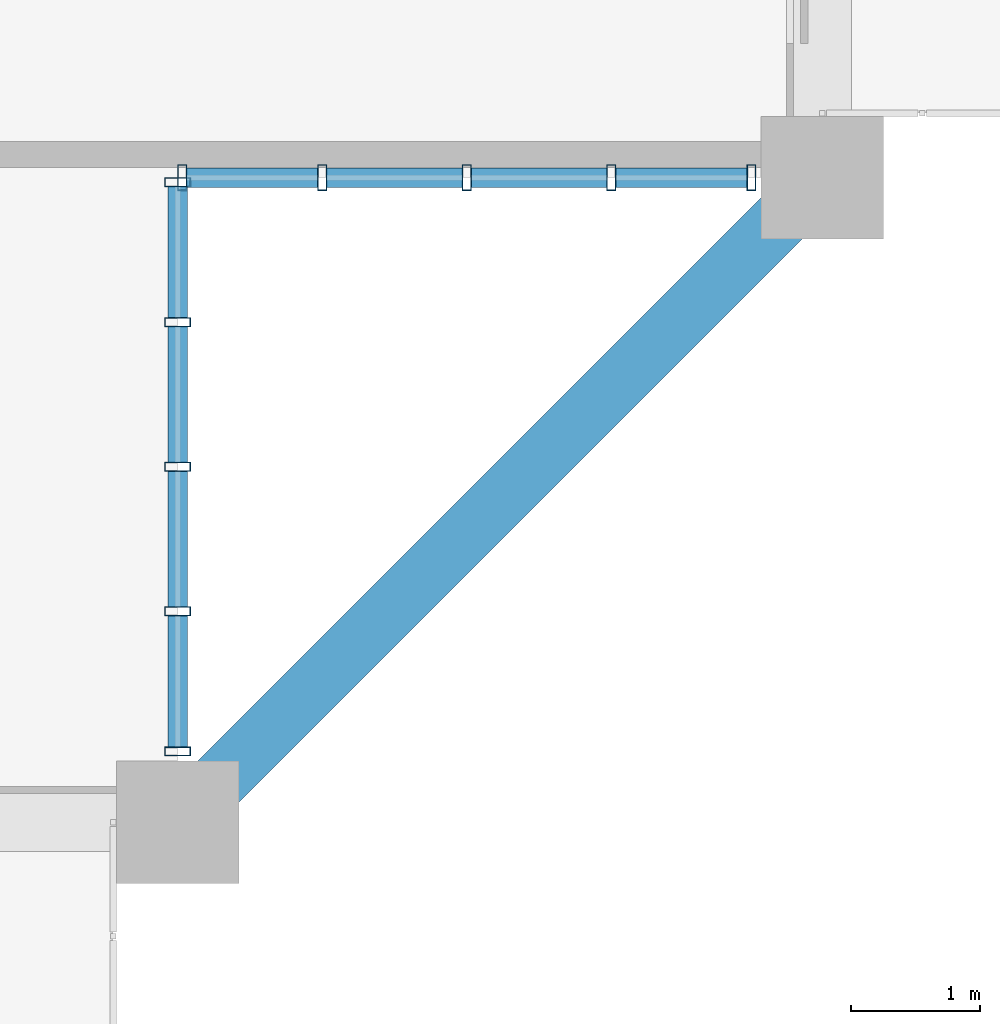
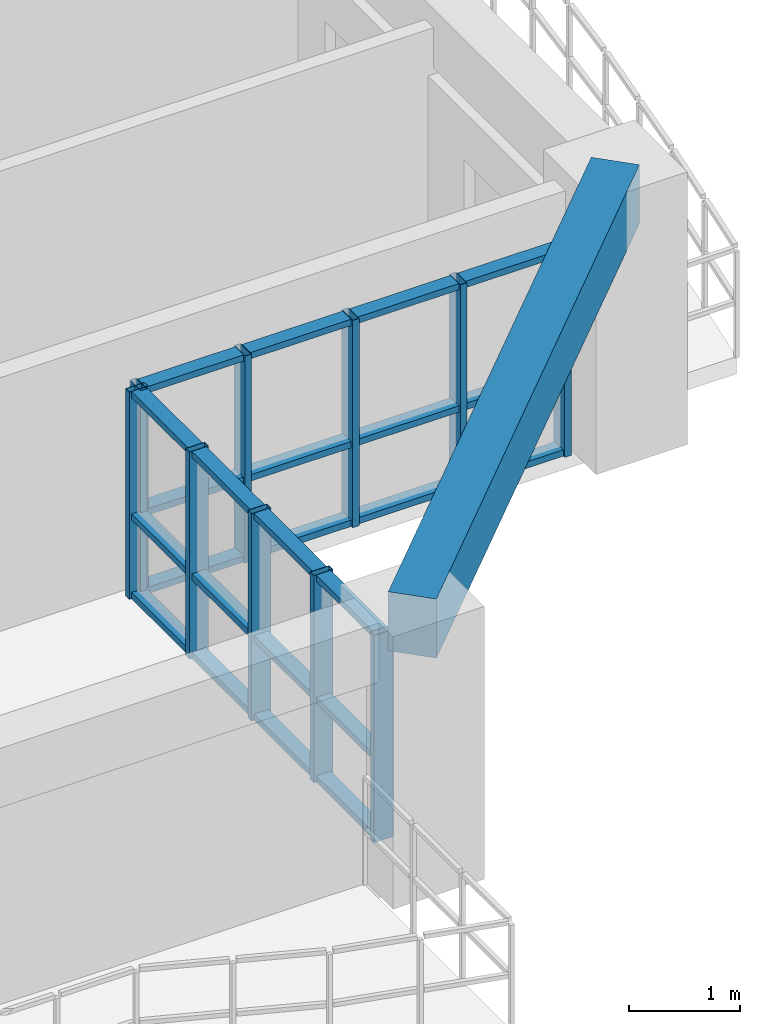
# One storey, part 4 of 24: 34 members, 1 beam, 2 elements without a shape of their own.
"""IFC4 building model written with IfcOpenShell, lengths in metres."""

from ifc_helpers import new_model, si_unit, direction, frame, origin, origin_2d, place, context, subcontext, project, spatial, rectangle, hollow_rectangle, extrude, source, transform, mapped, material, layer, layer_set, material_profile, profile_set, type_object, element, aggregate, save


model = new_model("IFC4")

# Units and contexts
model_context = context("Model", 3, precision=1e-05, world=origin(), true_north=direction((0.0, 1.0)))
body_context = subcontext(model_context, "Body", "Model", "MODEL_VIEW")
ifc_project = project(units=[si_unit("LENGTHUNIT", "METRE"), si_unit("AREAUNIT", "SQUARE_METRE"), si_unit("VOLUMEUNIT", "CUBIC_METRE"), si_unit("PLANEANGLEUNIT", "RADIAN"), si_unit("MASSUNIT", "GRAM", prefix="KILO")], contexts=[model_context])

# Site, building, storey
site_placement = place(None, origin())
site = spatial("IfcSite", under=ifc_project, at=site_placement, CompositionType="ELEMENT")
building_placement = place(site_placement, origin())
building = spatial("IfcBuilding", under=site, at=building_placement, Name="Saelheon Loggia Tower", CompositionType="ELEMENT")
storey_placement = place(building_placement, frame((0.0, 0.0, 166.0)))
storey = spatial("IfcBuildingStorey", under=building, at=storey_placement, Name="L52", CompositionType="ELEMENT", Elevation=166.0)

# Beam
ifc_material_1 = material(Name="Concrete C40/50", Category="concrete")
ifc_material_profile_1 = material_profile(ifc_material_1, rectangle(XDim=0.449951171875, YDim=0.64990234375, at=origin_2d()), Name="RC-450x650")
ifc_profile_set_1 = profile_set([ifc_material_profile_1], Name="Concrete C40/50")
beam_type = type_object("IfcBeamType", Name="Beam_PerimTower_RC450x650", PredefinedType="BEAM", material=ifc_profile_set_1)
shared_shape_1 = source(origin(), body_context, "Body", "SweptSolid", [
    extrude(rectangle(XDim=0.449951171875, YDim=0.64990234375, at=origin_2d()), origin(), (0.0, 0.0, 1.0), 7.071044921875),
])
beam_placement = place(storey_placement, frame((55.0, 6.0, 2.675048828125), z_axis=(0.707106781187, 0.707106781187, 0.0), x_axis=(-0.707106781187, 0.707106781187, 0.0)))
element("IfcBeam", 1, at=beam_placement, inside=storey, type_object=beam_type, Name="L52 Perimeter Frame Girder 04", PredefinedType="BEAM", context=body_context, shape_type="MappedRepresentation", body=[
    mapped(shared_shape_1, transform((0.0, 0.0, 0.0), scale=1.0)),
])

# Curtain wall, members
ifc_material_2 = material(Name="High-Wind Aluminium and Triple Laminated Glass", Category="aluminium")
ifc_layer = layer(ifc_material_2, 0.179931640625)
ifc_layer_set = layer_set([ifc_layer], Name="High-Wind Aluminium and Triple Laminated Glass")
curtain_wall_type = type_object("IfcCurtainWallType", Name="CW_TowerLoggiaHigh", PredefinedType="NOTDEFINED", material=ifc_layer_set)
curtain_wall_1_placement = place(storey_placement, origin())
curtain_wall_1 = element("IfcCurtainWall", 2, at=curtain_wall_1_placement, inside=storey, type_object=curtain_wall_type, Name="L52 Corner Notch Glazing SE1", PredefinedType="NOTDEFINED")
ifc_material_3 = material(Name="Anodised Aluminium 6063-T6", Category="aluminium")
ifc_material_profile_2 = material_profile(ifc_material_3, hollow_rectangle(XDim=0.070068359375, YDim=0.199951171875, WallThickness=0.0048828125, at=origin_2d()), Name="RHS-200x70x5")
ifc_profile_set_2 = profile_set([ifc_material_profile_2], Name="Anodised Aluminium 6063-T6")
member_type_1 = type_object("IfcMemberType", Name="CW_TowerLoggiaHigh_Mullion", PredefinedType="MULLION", material=ifc_profile_set_2)
shared_shape_2 = source(origin(), body_context, "Body", "SweptSolid", [
    extrude(hollow_rectangle(XDim=0.070068359375, YDim=0.199951171875, WallThickness=0.0048828125, at=origin_2d()), origin(), (0.0, 0.0, 1.0), 2.280029296875),
])
member_1_placement = place(storey_placement, frame((55.0, 6.550048828125, 0.0), z_axis=(0.0, 0.0, 1.0), x_axis=(0.0, 1.0, 0.0)))
member_1 = element("IfcMember", 3, at=member_1_placement, type_object=member_type_1, Name="CW4 mullion 1", PredefinedType="MULLION", context=body_context, shape_type="MappedRepresentation", body=[
    mapped(shared_shape_2, transform((0.0, 0.0, 0.0), scale=1.0)),
])
member_2_placement = place(storey_placement, frame((55.0, 7.63623046875, 0.0), z_axis=(0.0, 0.0, 1.0), x_axis=(0.0, 1.0, 0.0)))
member_2 = element("IfcMember", 4, at=member_2_placement, type_object=member_type_1, Name="CW4 mullion 2", PredefinedType="MULLION", context=body_context, shape_type="MappedRepresentation", body=[
    mapped(shared_shape_2, transform((0.0, 0.0, 0.0), scale=1.0)),
])
member_3_placement = place(storey_placement, frame((55.0, 8.757568359375, 0.0), z_axis=(0.0, 0.0, 1.0), x_axis=(0.0, 1.0, 0.0)))
member_3 = element("IfcMember", 5, at=member_3_placement, type_object=member_type_1, Name="CW4 mullion 3", PredefinedType="MULLION", context=body_context, shape_type="MappedRepresentation", body=[
    mapped(shared_shape_2, transform((0.0, 0.0, 0.0), scale=1.0)),
])
member_4_placement = place(storey_placement, frame((55.0, 9.878662109375, 0.0), z_axis=(0.0, 0.0, 1.0), x_axis=(0.0, 1.0, 0.0)))
member_4 = element("IfcMember", 6, at=member_4_placement, type_object=member_type_1, Name="CW4 mullion 4", PredefinedType="MULLION", context=body_context, shape_type="MappedRepresentation", body=[
    mapped(shared_shape_2, transform((0.0, 0.0, 0.0), scale=1.0)),
])
member_5_placement = place(storey_placement, frame((55.0, 10.965087890625, 0.0), z_axis=(0.0, 0.0, 1.0), x_axis=(0.0, 1.0, 0.0)))
member_5 = element("IfcMember", 7, at=member_5_placement, type_object=member_type_1, Name="CW4 mullion 5", PredefinedType="MULLION", context=body_context, shape_type="MappedRepresentation", body=[
    mapped(shared_shape_2, transform((0.0, 0.0, 0.0), scale=1.0)),
])

curtain_wall_2_placement = place(storey_placement, origin())
curtain_wall_2 = element("IfcCurtainWall", 8, at=curtain_wall_2_placement, inside=storey, type_object=curtain_wall_type, Name="L52 Corner Notch Glazing SE2", PredefinedType="NOTDEFINED")
member_6_placement = place(storey_placement, frame((55.034912109375, 11.0, 0.0), z_axis=(0.0, 0.0, 1.0), x_axis=(1.0, 0.0, 0.0)))
member_6 = element("IfcMember", 9, at=member_6_placement, type_object=member_type_1, Name="CW4 mullion 1", PredefinedType="MULLION", context=body_context, shape_type="MappedRepresentation", body=[
    mapped(shared_shape_2, transform((0.0, 0.0, 0.0), scale=1.0)),
])
member_7_placement = place(storey_placement, frame((56.121337890625, 11.0, 0.0), z_axis=(0.0, 0.0, 1.0), x_axis=(1.0, 0.0, 0.0)))
member_7 = element("IfcMember", 10, at=member_7_placement, type_object=member_type_1, Name="CW4 mullion 2", PredefinedType="MULLION", context=body_context, shape_type="MappedRepresentation", body=[
    mapped(shared_shape_2, transform((0.0, 0.0, 0.0), scale=1.0)),
])
member_8_placement = place(storey_placement, frame((57.242431640625, 11.0, 0.0), z_axis=(0.0, 0.0, 1.0), x_axis=(1.0, 0.0, 0.0)))
member_8 = element("IfcMember", 11, at=member_8_placement, type_object=member_type_1, Name="CW4 mullion 3", PredefinedType="MULLION", context=body_context, shape_type="MappedRepresentation", body=[
    mapped(shared_shape_2, transform((0.0, 0.0, 0.0), scale=1.0)),
])
member_9_placement = place(storey_placement, frame((58.36376953125, 11.0, 0.0), z_axis=(0.0, 0.0, 1.0), x_axis=(1.0, 0.0, 0.0)))
member_9 = element("IfcMember", 12, at=member_9_placement, type_object=member_type_1, Name="CW4 mullion 4", PredefinedType="MULLION", context=body_context, shape_type="MappedRepresentation", body=[
    mapped(shared_shape_2, transform((0.0, 0.0, 0.0), scale=1.0)),
])
member_10_placement = place(storey_placement, frame((59.449951171875, 11.0, 0.0), z_axis=(0.0, 0.0, 1.0), x_axis=(1.0, 0.0, 0.0)))
member_10 = element("IfcMember", 13, at=member_10_placement, type_object=member_type_1, Name="CW4 mullion 5", PredefinedType="MULLION", context=body_context, shape_type="MappedRepresentation", body=[
    mapped(shared_shape_2, transform((0.0, 0.0, 0.0), scale=1.0)),
])

# Member
ifc_material_profile_3 = material_profile(ifc_material_3, hollow_rectangle(XDim=0.070068359375, YDim=0.14990234375, WallThickness=0.0048828125, at=origin_2d()), Name="RHS-150x70x5")
ifc_profile_set_3 = profile_set([ifc_material_profile_3], Name="Anodised Aluminium 6063-T6")
member_type_2 = type_object("IfcMemberType", Name="CW_TowerLoggiaHigh_Transom", PredefinedType="USERDEFINED", material=ifc_profile_set_3)
shared_shape_3 = source(origin(), body_context, "Body", "SweptSolid", [
    extrude(hollow_rectangle(XDim=0.070068359375, YDim=0.14990234375, WallThickness=0.0048828125, at=origin_2d()), origin(), (0.0, 0.0, 1.0), 1.016357421875),
])
member_11_placement = place(storey_placement, frame((55.0, 6.5849609375, 0.034912109375), z_axis=(0.0, 1.0, 0.0), x_axis=(0.0, 0.0, 1.0)))
member_11 = element("IfcMember", 14, at=member_11_placement, type_object=member_type_2, Name="CW4 transom 1.1", ObjectType="TRANSOM", PredefinedType="USERDEFINED", context=body_context, shape_type="MappedRepresentation", body=[
    mapped(shared_shape_3, transform((0.0, 0.0, 0.0), scale=1.0)),
])

member_12_placement = place(storey_placement, frame((55.0, 6.5849609375, 0.89990234375), z_axis=(0.0, 1.0, 0.0), x_axis=(0.0, 0.0, 1.0)))
member_12 = element("IfcMember", 15, at=member_12_placement, type_object=member_type_2, Name="CW4 transom 1.2", ObjectType="TRANSOM", PredefinedType="USERDEFINED", context=body_context, shape_type="MappedRepresentation", body=[
    mapped(shared_shape_3, transform((0.0, 0.0, 0.0), scale=1.0)),
])

member_13_placement = place(storey_placement, frame((55.0, 6.5849609375, 2.2451171875), z_axis=(0.0, 1.0, 0.0), x_axis=(0.0, 0.0, 1.0)))
member_13 = element("IfcMember", 16, at=member_13_placement, type_object=member_type_2, Name="CW4 transom 1.3", ObjectType="TRANSOM", PredefinedType="USERDEFINED", context=body_context, shape_type="MappedRepresentation", body=[
    mapped(shared_shape_3, transform((0.0, 0.0, 0.0), scale=1.0)),
])

member_14_placement = place(storey_placement, frame((58.398681640625, 11.0, 0.034912109375), z_axis=(1.0, 0.0, 0.0), x_axis=(0.0, 0.0, 1.0)))
member_14 = element("IfcMember", 17, at=member_14_placement, type_object=member_type_2, Name="CW4 transom 4.1", ObjectType="TRANSOM", PredefinedType="USERDEFINED", context=body_context, shape_type="MappedRepresentation", body=[
    mapped(shared_shape_3, transform((0.0, 0.0, 0.0), scale=1.0)),
])

member_15_placement = place(storey_placement, frame((58.398681640625, 11.0, 0.89990234375), z_axis=(1.0, 0.0, 0.0), x_axis=(0.0, 0.0, 1.0)))
member_15 = element("IfcMember", 18, at=member_15_placement, type_object=member_type_2, Name="CW4 transom 4.2", ObjectType="TRANSOM", PredefinedType="USERDEFINED", context=body_context, shape_type="MappedRepresentation", body=[
    mapped(shared_shape_3, transform((0.0, 0.0, 0.0), scale=1.0)),
])

member_16_placement = place(storey_placement, frame((58.398681640625, 11.0, 2.2451171875), z_axis=(1.0, 0.0, 0.0), x_axis=(0.0, 0.0, 1.0)))
member_16 = element("IfcMember", 19, at=member_16_placement, type_object=member_type_2, Name="CW4 transom 4.3", ObjectType="TRANSOM", PredefinedType="USERDEFINED", context=body_context, shape_type="MappedRepresentation", body=[
    mapped(shared_shape_3, transform((0.0, 0.0, 0.0), scale=1.0)),
])

shared_shape_4 = source(origin(), body_context, "Body", "SweptSolid", [
    extrude(hollow_rectangle(XDim=0.070068359375, YDim=0.14990234375, WallThickness=0.0048828125, at=origin_2d()), origin(), (0.0, 0.0, 1.0), 1.05126953125),
])
member_17_placement = place(storey_placement, frame((55.0, 7.671142578125, 0.034912109375), z_axis=(0.0, 1.0, 0.0), x_axis=(0.0, 0.0, 1.0)))
member_17 = element("IfcMember", 20, at=member_17_placement, type_object=member_type_2, Name="CW4 transom 2.1", ObjectType="TRANSOM", PredefinedType="USERDEFINED", context=body_context, shape_type="MappedRepresentation", body=[
    mapped(shared_shape_4, transform((0.0, 0.0, 0.0), scale=1.0)),
])

member_18_placement = place(storey_placement, frame((55.0, 7.671142578125, 0.89990234375), z_axis=(0.0, 1.0, 0.0), x_axis=(0.0, 0.0, 1.0)))
member_18 = element("IfcMember", 21, at=member_18_placement, type_object=member_type_2, Name="CW4 transom 2.2", ObjectType="TRANSOM", PredefinedType="USERDEFINED", context=body_context, shape_type="MappedRepresentation", body=[
    mapped(shared_shape_4, transform((0.0, 0.0, 0.0), scale=1.0)),
])

member_19_placement = place(storey_placement, frame((55.0, 7.671142578125, 2.2451171875), z_axis=(0.0, 1.0, 0.0), x_axis=(0.0, 0.0, 1.0)))
member_19 = element("IfcMember", 22, at=member_19_placement, type_object=member_type_2, Name="CW4 transom 2.3", ObjectType="TRANSOM", PredefinedType="USERDEFINED", context=body_context, shape_type="MappedRepresentation", body=[
    mapped(shared_shape_4, transform((0.0, 0.0, 0.0), scale=1.0)),
])

member_20_placement = place(storey_placement, frame((55.0, 8.79248046875, 0.034912109375), z_axis=(0.0, 1.0, 0.0), x_axis=(0.0, 0.0, 1.0)))
member_20 = element("IfcMember", 23, at=member_20_placement, type_object=member_type_2, Name="CW4 transom 3.1", ObjectType="TRANSOM", PredefinedType="USERDEFINED", context=body_context, shape_type="MappedRepresentation", body=[
    mapped(shared_shape_4, transform((0.0, 0.0, 0.0), scale=1.0)),
])

member_21_placement = place(storey_placement, frame((55.0, 8.79248046875, 0.89990234375), z_axis=(0.0, 1.0, 0.0), x_axis=(0.0, 0.0, 1.0)))
member_21 = element("IfcMember", 24, at=member_21_placement, type_object=member_type_2, Name="CW4 transom 3.2", ObjectType="TRANSOM", PredefinedType="USERDEFINED", context=body_context, shape_type="MappedRepresentation", body=[
    mapped(shared_shape_4, transform((0.0, 0.0, 0.0), scale=1.0)),
])

member_22_placement = place(storey_placement, frame((55.0, 8.79248046875, 2.2451171875), z_axis=(0.0, 1.0, 0.0), x_axis=(0.0, 0.0, 1.0)))
member_22 = element("IfcMember", 25, at=member_22_placement, type_object=member_type_2, Name="CW4 transom 3.3", ObjectType="TRANSOM", PredefinedType="USERDEFINED", context=body_context, shape_type="MappedRepresentation", body=[
    mapped(shared_shape_4, transform((0.0, 0.0, 0.0), scale=1.0)),
])

member_23_placement = place(storey_placement, frame((56.15625, 11.0, 0.034912109375), z_axis=(1.0, 0.0, 0.0), x_axis=(0.0, 0.0, 1.0)))
member_23 = element("IfcMember", 26, at=member_23_placement, type_object=member_type_2, Name="CW4 transom 2.1", ObjectType="TRANSOM", PredefinedType="USERDEFINED", context=body_context, shape_type="MappedRepresentation", body=[
    mapped(shared_shape_4, transform((0.0, 0.0, 0.0), scale=1.0)),
])

member_24_placement = place(storey_placement, frame((56.15625, 11.0, 0.89990234375), z_axis=(1.0, 0.0, 0.0), x_axis=(0.0, 0.0, 1.0)))
member_24 = element("IfcMember", 27, at=member_24_placement, type_object=member_type_2, Name="CW4 transom 2.2", ObjectType="TRANSOM", PredefinedType="USERDEFINED", context=body_context, shape_type="MappedRepresentation", body=[
    mapped(shared_shape_4, transform((0.0, 0.0, 0.0), scale=1.0)),
])

member_25_placement = place(storey_placement, frame((56.15625, 11.0, 2.2451171875), z_axis=(1.0, 0.0, 0.0), x_axis=(0.0, 0.0, 1.0)))
member_25 = element("IfcMember", 28, at=member_25_placement, type_object=member_type_2, Name="CW4 transom 2.3", ObjectType="TRANSOM", PredefinedType="USERDEFINED", context=body_context, shape_type="MappedRepresentation", body=[
    mapped(shared_shape_4, transform((0.0, 0.0, 0.0), scale=1.0)),
])

member_26_placement = place(storey_placement, frame((57.277587890625, 11.0, 0.034912109375), z_axis=(1.0, 0.0, 0.0), x_axis=(0.0, 0.0, 1.0)))
member_26 = element("IfcMember", 29, at=member_26_placement, type_object=member_type_2, Name="CW4 transom 3.1", ObjectType="TRANSOM", PredefinedType="USERDEFINED", context=body_context, shape_type="MappedRepresentation", body=[
    mapped(shared_shape_4, transform((0.0, 0.0, 0.0), scale=1.0)),
])

member_27_placement = place(storey_placement, frame((57.277587890625, 11.0, 0.89990234375), z_axis=(1.0, 0.0, 0.0), x_axis=(0.0, 0.0, 1.0)))
member_27 = element("IfcMember", 30, at=member_27_placement, type_object=member_type_2, Name="CW4 transom 3.2", ObjectType="TRANSOM", PredefinedType="USERDEFINED", context=body_context, shape_type="MappedRepresentation", body=[
    mapped(shared_shape_4, transform((0.0, 0.0, 0.0), scale=1.0)),
])

member_28_placement = place(storey_placement, frame((57.277587890625, 11.0, 2.2451171875), z_axis=(1.0, 0.0, 0.0), x_axis=(0.0, 0.0, 1.0)))
member_28 = element("IfcMember", 31, at=member_28_placement, type_object=member_type_2, Name="CW4 transom 3.3", ObjectType="TRANSOM", PredefinedType="USERDEFINED", context=body_context, shape_type="MappedRepresentation", body=[
    mapped(shared_shape_4, transform((0.0, 0.0, 0.0), scale=1.0)),
])

shared_shape_5 = source(origin(), body_context, "Body", "SweptSolid", [
    extrude(hollow_rectangle(XDim=0.070068359375, YDim=0.14990234375, WallThickness=0.0048828125, at=origin_2d()), origin(), (0.0, 0.0, 1.0), 1.01611328125),
])
member_29_placement = place(storey_placement, frame((55.0, 9.913818359375, 0.034912109375), z_axis=(0.0, 1.0, 0.0), x_axis=(0.0, 0.0, 1.0)))
member_29 = element("IfcMember", 32, at=member_29_placement, type_object=member_type_2, Name="CW4 transom 4.1", ObjectType="TRANSOM", PredefinedType="USERDEFINED", context=body_context, shape_type="MappedRepresentation", body=[
    mapped(shared_shape_5, transform((0.0, 0.0, 0.0), scale=1.0)),
])

member_30_placement = place(storey_placement, frame((55.0, 9.913818359375, 0.89990234375), z_axis=(0.0, 1.0, 0.0), x_axis=(0.0, 0.0, 1.0)))
member_30 = element("IfcMember", 33, at=member_30_placement, type_object=member_type_2, Name="CW4 transom 4.2", ObjectType="TRANSOM", PredefinedType="USERDEFINED", context=body_context, shape_type="MappedRepresentation", body=[
    mapped(shared_shape_5, transform((0.0, 0.0, 0.0), scale=1.0)),
])

member_31_placement = place(storey_placement, frame((55.0, 9.913818359375, 2.2451171875), z_axis=(0.0, 1.0, 0.0), x_axis=(0.0, 0.0, 1.0)))
member_31 = element("IfcMember", 34, at=member_31_placement, type_object=member_type_2, Name="CW4 transom 4.3", ObjectType="TRANSOM", PredefinedType="USERDEFINED", context=body_context, shape_type="MappedRepresentation", body=[
    mapped(shared_shape_5, transform((0.0, 0.0, 0.0), scale=1.0)),
])

aggregate(curtain_wall_1, [member_1, member_2, member_3, member_4, member_5, member_11, member_12, member_13, member_17, member_18, member_19, member_20, member_21, member_22, member_29, member_30, member_31])

member_32_placement = place(storey_placement, frame((55.070068359375, 11.0, 0.034912109375), z_axis=(1.0, 0.0, 0.0), x_axis=(0.0, 0.0, 1.0)))
member_32 = element("IfcMember", 35, at=member_32_placement, type_object=member_type_2, Name="CW4 transom 1.1", ObjectType="TRANSOM", PredefinedType="USERDEFINED", context=body_context, shape_type="MappedRepresentation", body=[
    mapped(shared_shape_5, transform((0.0, 0.0, 0.0), scale=1.0)),
])

member_33_placement = place(storey_placement, frame((55.070068359375, 11.0, 0.89990234375), z_axis=(1.0, 0.0, 0.0), x_axis=(0.0, 0.0, 1.0)))
member_33 = element("IfcMember", 36, at=member_33_placement, type_object=member_type_2, Name="CW4 transom 1.2", ObjectType="TRANSOM", PredefinedType="USERDEFINED", context=body_context, shape_type="MappedRepresentation", body=[
    mapped(shared_shape_5, transform((0.0, 0.0, 0.0), scale=1.0)),
])

member_34_placement = place(storey_placement, frame((55.070068359375, 11.0, 2.2451171875), z_axis=(1.0, 0.0, 0.0), x_axis=(0.0, 0.0, 1.0)))
member_34 = element("IfcMember", 37, at=member_34_placement, type_object=member_type_2, Name="CW4 transom 1.3", ObjectType="TRANSOM", PredefinedType="USERDEFINED", context=body_context, shape_type="MappedRepresentation", body=[
    mapped(shared_shape_5, transform((0.0, 0.0, 0.0), scale=1.0)),
])

aggregate(curtain_wall_2, [member_6, member_7, member_8, member_9, member_10, member_32, member_33, member_34, member_23, member_24, member_25, member_26, member_27, member_28, member_14, member_15, member_16])

save(model, "model.ifc")
